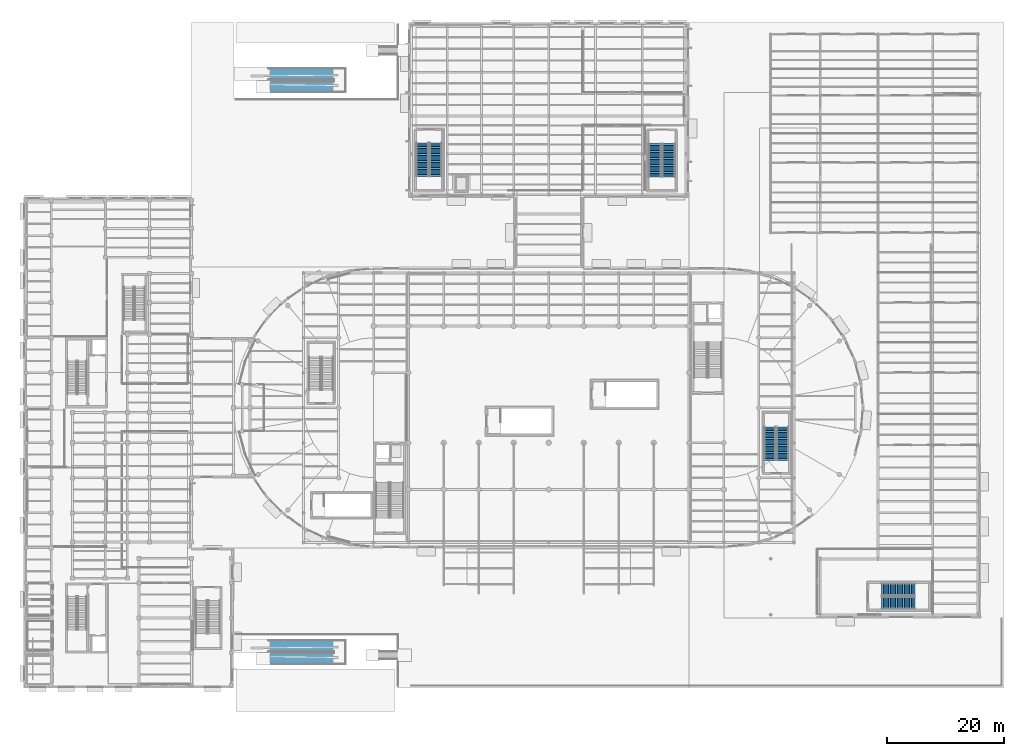
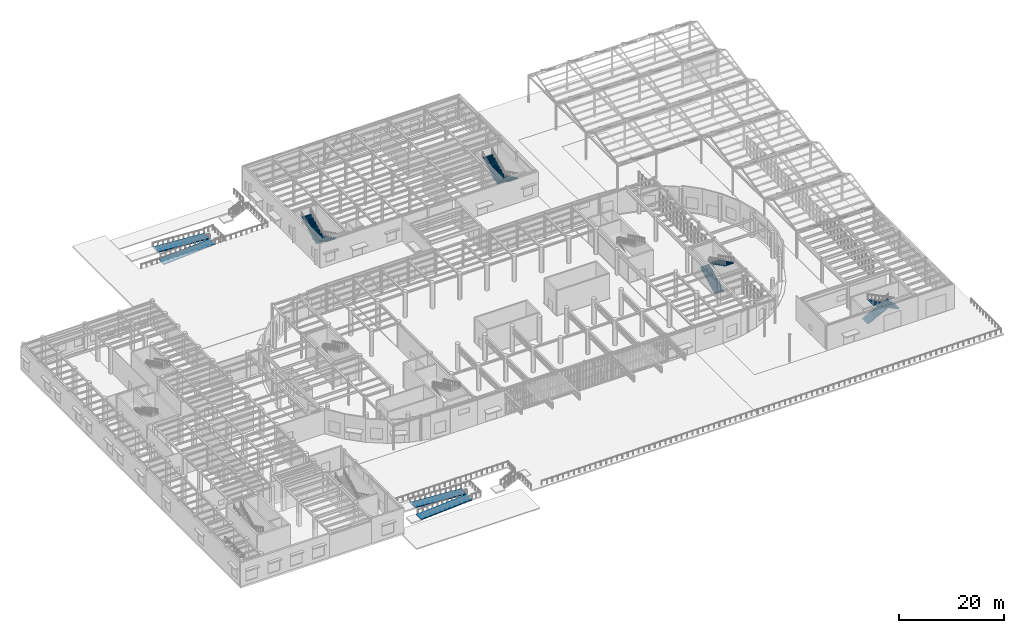
# One storey, part 98 of 118: 8 stair flights, 4 ramp flights, 6 elements without a shape of their own.
"""IFC4 building model written with IfcOpenShell, lengths in metres."""

from ifc_helpers import new_model, si_unit, direction, frame, origin, place, context, subcontext, project, spatial, polyline, outline, extrude, material, layer, layer_set, type_object, element, aggregate, save


model = new_model("IFC4")

# Units and contexts
model_context = context("Model", 3, precision=1e-05, world=origin(), true_north=direction((0.0, 1.0)))
body_context = subcontext(model_context, "Body", "Model", "MODEL_VIEW")
ifc_project = project(units=[si_unit("LENGTHUNIT", "METRE"), si_unit("AREAUNIT", "SQUARE_METRE"), si_unit("VOLUMEUNIT", "CUBIC_METRE"), si_unit("PLANEANGLEUNIT", "RADIAN"), si_unit("MASSUNIT", "GRAM", prefix="KILO")], contexts=[model_context])

# Site, building, storey
site_placement = place(None, origin())
site = spatial("IfcSite", under=ifc_project, at=site_placement, CompositionType="ELEMENT")
building_placement = place(site_placement, origin())
building = spatial("IfcBuilding", under=site, at=building_placement, Name="Kolvaren Corner Interchange", CompositionType="ELEMENT")
storey_placement = place(building_placement, origin())
storey = spatial("IfcBuildingStorey", under=building, at=storey_placement, Name="L01", CompositionType="ELEMENT", Elevation=0.0)

# Stair, stair flights
ifc_material_1 = material(Name="Concrete C35/45", Category="concrete")
stair_type_1 = type_object("IfcStairType", Name="ST-CY-2200", PredefinedType="HALF_TURN_STAIR", material=ifc_material_1)
stair_1_placement = place(storey_placement, origin())
stair_1 = element("IfcStair", 1, at=stair_1_placement, inside=storey, type_object=stair_type_1, Name="Cycle Hub East Mezzanine Exit Stair L01 to L02 Stair", PredefinedType="HALF_TURN_STAIR")
ifc_material_2 = material(Name="Concrete C35/45", Category="concrete")
stair_flight_type_1 = type_object("IfcStairFlightType", Name="SFT-CY-2200", PredefinedType="STRAIGHT", material=ifc_material_2)
stair_flight_1_placement = place(storey_placement, frame((110.60009765625, 93.25, 0.0), z_axis=(0.0, 0.0, 1.0), x_axis=(0.0, -1.0, 0.0)))
stair_flight_1 = element("IfcStairFlight", 2, at=stair_flight_1_placement, type_object=stair_flight_type_1, Name="Cycle Hub East Mezzanine Exit Stair L01 Lower Flight", NumberOfRisers=20, NumberOfTreads=19, PredefinedType="STRAIGHT", RiserHeight=0.15, TreadLength=0.3, context=body_context, shape_type="SweptSolid", body=[
    extrude(outline(polyline([(0.0, 0.0), (0.0, 0.14990234375), (0.300048828125, 0.14990234375), (0.300048828125, 0.300048828125), (0.60009765625, 0.300048828125), (0.60009765625, 0.449951171875), (0.89990234375, 0.449951171875), (0.89990234375, 0.60009765625), (1.199951171875, 0.60009765625), (1.199951171875, 0.75), (1.5, 0.75), (1.5, 0.89990234375), (1.800048828125, 0.89990234375), (1.800048828125, 1.050048828125), (2.10009765625, 1.050048828125), (2.10009765625, 1.199951171875), (2.39990234375, 1.199951171875), (2.39990234375, 1.35009765625), (2.699951171875, 1.35009765625), (2.699951171875, 1.5), (3.0, 1.5), (3.0, 1.64990234375), (3.300048828125, 1.64990234375), (3.300048828125, 1.800048828125), (3.60009765625, 1.800048828125), (3.60009765625, 1.949951171875), (3.89990234375, 1.949951171875), (3.89990234375, 2.10009765625), (4.199951171875, 2.10009765625), (4.199951171875, 2.25), (4.5, 2.25), (4.5, 2.39990234375), (4.800048828125, 2.39990234375), (4.800048828125, 2.550048828125), (5.10009765625, 2.550048828125), (5.10009765625, 2.699951171875), (5.39990234375, 2.699951171875), (5.39990234375, 2.85009765625), (5.699951171875, 2.85009765625), (5.699951171875, 3.0), (5.699951171875, 2.64892578125), (0.40234375, 0.0), (0.0, 0.0)])), frame((0.0, 1.10009765625, 0.0), z_axis=(0.0, -1.0, 0.0), x_axis=(1.0, 0.0, 0.0)), (0.0, 0.0, 1.0), 2.199951171875),
])
stair_flight_2_placement = place(storey_placement, frame((108.199951171875, 87.550048828125, 3.0), z_axis=(0.0, 0.0, 1.0), x_axis=(0.0, 1.0, 0.0)))
stair_flight_2 = element("IfcStairFlight", 3, at=stair_flight_2_placement, type_object=stair_flight_type_1, Name="Cycle Hub East Mezzanine Exit Stair L01 Upper Flight", NumberOfRisers=20, NumberOfTreads=19, PredefinedType="STRAIGHT", RiserHeight=0.15, TreadLength=0.3, context=body_context, shape_type="SweptSolid", body=[
    extrude(outline(polyline([(0.0, 0.0), (0.0, 0.14990234375), (0.300048828125, 0.14990234375), (0.300048828125, 0.300048828125), (0.60009765625, 0.300048828125), (0.60009765625, 0.449951171875), (0.89990234375, 0.449951171875), (0.89990234375, 0.60009765625), (1.199951171875, 0.60009765625), (1.199951171875, 0.75), (1.5, 0.75), (1.5, 0.89990234375), (1.800048828125, 0.89990234375), (1.800048828125, 1.050048828125), (2.10009765625, 1.050048828125), (2.10009765625, 1.199951171875), (2.39990234375, 1.199951171875), (2.39990234375, 1.35009765625), (2.699951171875, 1.35009765625), (2.699951171875, 1.5), (3.0, 1.5), (3.0, 1.64990234375), (3.300048828125, 1.64990234375), (3.300048828125, 1.800048828125), (3.60009765625, 1.800048828125), (3.60009765625, 1.949951171875), (3.89990234375, 1.949951171875), (3.89990234375, 2.10009765625), (4.199951171875, 2.10009765625), (4.199951171875, 2.25), (4.5, 2.25), (4.5, 2.39990234375), (4.800048828125, 2.39990234375), (4.800048828125, 2.550048828125), (5.10009765625, 2.550048828125), (5.10009765625, 2.699951171875), (5.39990234375, 2.699951171875), (5.39990234375, 2.85009765625), (5.699951171875, 2.85009765625), (5.699951171875, 3.0), (5.699951171875, 2.64892578125), (0.40234375, 0.0), (0.0, 0.0)])), frame((0.0, 1.10009765625, 0.0), z_axis=(0.0, -1.0, 0.0), x_axis=(1.0, 0.0, 0.0)), (0.0, 0.0, 1.0), 2.199951171875),
])
aggregate(stair_1, [stair_flight_1, stair_flight_2])

ifc_material_3 = material(Name="Concrete C35/45", Category="concrete")
stair_type_2 = type_object("IfcStairType", Name="ST-GL-2000", PredefinedType="HALF_TURN_STAIR", material=ifc_material_3)
stair_2_placement = place(storey_placement, origin())
stair_2 = element("IfcStair", 4, at=stair_2_placement, inside=storey, type_object=stair_type_2, Name="East Racetrack Concourse Gallery Stair L01 to L02 Stair", PredefinedType="HALF_TURN_STAIR")
ifc_material_4 = material(Name="Concrete C35/45", Category="concrete")
stair_flight_type_2 = type_object("IfcStairFlightType", Name="SFT-GL-2000", PredefinedType="STRAIGHT", material=ifc_material_4)
stair_flight_3_placement = place(storey_placement, frame((127.89990234375, 39.0, 0.0), z_axis=(0.0, 0.0, 1.0), x_axis=(0.0, 1.0, 0.0)))
stair_flight_3 = element("IfcStairFlight", 5, at=stair_flight_3_placement, type_object=stair_flight_type_2, Name="East Racetrack Concourse Gallery Stair L01 Lower Flight", NumberOfRisers=20, NumberOfTreads=19, PredefinedType="STRAIGHT", RiserHeight=0.15, TreadLength=0.3, context=body_context, shape_type="SweptSolid", body=[
    extrude(outline(polyline([(0.0, 0.0), (0.0, 0.14990234375), (0.300048828125, 0.14990234375), (0.300048828125, 0.300048828125), (0.60009765625, 0.300048828125), (0.60009765625, 0.449951171875), (0.89990234375, 0.449951171875), (0.89990234375, 0.60009765625), (1.199951171875, 0.60009765625), (1.199951171875, 0.75), (1.5, 0.75), (1.5, 0.89990234375), (1.800048828125, 0.89990234375), (1.800048828125, 1.050048828125), (2.10009765625, 1.050048828125), (2.10009765625, 1.199951171875), (2.39990234375, 1.199951171875), (2.39990234375, 1.35009765625), (2.699951171875, 1.35009765625), (2.699951171875, 1.5), (3.0, 1.5), (3.0, 1.64990234375), (3.300048828125, 1.64990234375), (3.300048828125, 1.800048828125), (3.60009765625, 1.800048828125), (3.60009765625, 1.949951171875), (3.89990234375, 1.949951171875), (3.89990234375, 2.10009765625), (4.199951171875, 2.10009765625), (4.199951171875, 2.25), (4.5, 2.25), (4.5, 2.39990234375), (4.800048828125, 2.39990234375), (4.800048828125, 2.550048828125), (5.10009765625, 2.550048828125), (5.10009765625, 2.699951171875), (5.39990234375, 2.699951171875), (5.39990234375, 2.85009765625), (5.699951171875, 2.85009765625), (5.699951171875, 3.0), (5.699951171875, 2.659912109375), (0.3798828125, 0.0), (0.0, 0.0)])), frame((0.0, 1.0, 0.0), z_axis=(0.0, -1.0, 0.0), x_axis=(1.0, 0.0, 0.0)), (0.0, 0.0, 1.0), 2.0),
])
stair_flight_4_placement = place(storey_placement, frame((130.10009765625, 44.699951171875, 3.0), z_axis=(0.0, 0.0, 1.0), x_axis=(0.0, -1.0, 0.0)))
stair_flight_4 = element("IfcStairFlight", 6, at=stair_flight_4_placement, type_object=stair_flight_type_2, Name="East Racetrack Concourse Gallery Stair L01 Upper Flight", NumberOfRisers=20, NumberOfTreads=19, PredefinedType="STRAIGHT", RiserHeight=0.15, TreadLength=0.3, context=body_context, shape_type="SweptSolid", body=[
    extrude(outline(polyline([(0.0, 0.0), (0.0, 0.14990234375), (0.300048828125, 0.14990234375), (0.300048828125, 0.300048828125), (0.60009765625, 0.300048828125), (0.60009765625, 0.449951171875), (0.89990234375, 0.449951171875), (0.89990234375, 0.60009765625), (1.199951171875, 0.60009765625), (1.199951171875, 0.75), (1.5, 0.75), (1.5, 0.89990234375), (1.800048828125, 0.89990234375), (1.800048828125, 1.050048828125), (2.10009765625, 1.050048828125), (2.10009765625, 1.199951171875), (2.39990234375, 1.199951171875), (2.39990234375, 1.35009765625), (2.699951171875, 1.35009765625), (2.699951171875, 1.5), (3.0, 1.5), (3.0, 1.64990234375), (3.300048828125, 1.64990234375), (3.300048828125, 1.800048828125), (3.60009765625, 1.800048828125), (3.60009765625, 1.949951171875), (3.89990234375, 1.949951171875), (3.89990234375, 2.10009765625), (4.199951171875, 2.10009765625), (4.199951171875, 2.25), (4.5, 2.25), (4.5, 2.39990234375), (4.800048828125, 2.39990234375), (4.800048828125, 2.550048828125), (5.10009765625, 2.550048828125), (5.10009765625, 2.699951171875), (5.39990234375, 2.699951171875), (5.39990234375, 2.85009765625), (5.699951171875, 2.85009765625), (5.699951171875, 3.0), (5.699951171875, 2.659912109375), (0.3798828125, 0.0), (0.0, 0.0)])), frame((0.0, 1.0, 0.0), z_axis=(0.0, -1.0, 0.0), x_axis=(1.0, 0.0, 0.0)), (0.0, 0.0, 1.0), 2.0),
])
aggregate(stair_2, [stair_flight_3, stair_flight_4])

ifc_material_5 = material(Name="Concrete C35/45", Category="concrete")
stair_type_3 = type_object("IfcStairType", Name="ST-PL-2100", PredefinedType="HALF_TURN_STAIR", material=ifc_material_5)
stair_3_placement = place(storey_placement, origin())
stair_3 = element("IfcStair", 7, at=stair_3_placement, inside=storey, type_object=stair_type_3, Name="Cycle Hub West Pavilion Exit Stair L01 to L02 Stair", PredefinedType="HALF_TURN_STAIR")
ifc_material_6 = material(Name="Concrete C35/45", Category="concrete")
stair_flight_type_3 = type_object("IfcStairFlightType", Name="SFT-PL-2100", PredefinedType="STRAIGHT", material=ifc_material_6)
stair_flight_5_placement = place(storey_placement, frame((70.64990234375, 93.35009765625, 0.0), z_axis=(0.0, 0.0, 1.0), x_axis=(0.0, -1.0, 0.0)))
stair_flight_5 = element("IfcStairFlight", 8, at=stair_flight_5_placement, type_object=stair_flight_type_3, Name="Cycle Hub West Pavilion Exit Stair L01 Lower Flight", NumberOfRisers=20, NumberOfTreads=19, PredefinedType="STRAIGHT", RiserHeight=0.15, TreadLength=0.3, context=body_context, shape_type="SweptSolid", body=[
    extrude(outline(polyline([(0.0, 0.0), (0.0, 0.14990234375), (0.300048828125, 0.14990234375), (0.300048828125, 0.300048828125), (0.60009765625, 0.300048828125), (0.60009765625, 0.449951171875), (0.89990234375, 0.449951171875), (0.89990234375, 0.60009765625), (1.199951171875, 0.60009765625), (1.199951171875, 0.75), (1.5, 0.75), (1.5, 0.89990234375), (1.800048828125, 0.89990234375), (1.800048828125, 1.050048828125), (2.10009765625, 1.050048828125), (2.10009765625, 1.199951171875), (2.39990234375, 1.199951171875), (2.39990234375, 1.35009765625), (2.699951171875, 1.35009765625), (2.699951171875, 1.5), (3.0, 1.5), (3.0, 1.64990234375), (3.300048828125, 1.64990234375), (3.300048828125, 1.800048828125), (3.60009765625, 1.800048828125), (3.60009765625, 1.949951171875), (3.89990234375, 1.949951171875), (3.89990234375, 2.10009765625), (4.199951171875, 2.10009765625), (4.199951171875, 2.25), (4.5, 2.25), (4.5, 2.39990234375), (4.800048828125, 2.39990234375), (4.800048828125, 2.550048828125), (5.10009765625, 2.550048828125), (5.10009765625, 2.699951171875), (5.39990234375, 2.699951171875), (5.39990234375, 2.85009765625), (5.699951171875, 2.85009765625), (5.699951171875, 3.0), (5.699951171875, 2.64892578125), (0.40234375, 0.0), (0.0, 0.0)])), frame((0.0, 1.050048828125, 0.0), z_axis=(0.0, -1.0, 0.0), x_axis=(1.0, 0.0, 0.0)), (0.0, 0.0, 1.0), 2.10009765625),
])
stair_flight_6_placement = place(storey_placement, frame((68.35009765625, 87.64990234375, 3.0), z_axis=(0.0, 0.0, 1.0), x_axis=(0.0, 1.0, 0.0)))
stair_flight_6 = element("IfcStairFlight", 9, at=stair_flight_6_placement, type_object=stair_flight_type_3, Name="Cycle Hub West Pavilion Exit Stair L01 Upper Flight", NumberOfRisers=20, NumberOfTreads=19, PredefinedType="STRAIGHT", RiserHeight=0.15, TreadLength=0.3, context=body_context, shape_type="SweptSolid", body=[
    extrude(outline(polyline([(0.0, 0.0), (0.0, 0.14990234375), (0.300048828125, 0.14990234375), (0.300048828125, 0.300048828125), (0.60009765625, 0.300048828125), (0.60009765625, 0.449951171875), (0.89990234375, 0.449951171875), (0.89990234375, 0.60009765625), (1.199951171875, 0.60009765625), (1.199951171875, 0.75), (1.5, 0.75), (1.5, 0.89990234375), (1.800048828125, 0.89990234375), (1.800048828125, 1.050048828125), (2.10009765625, 1.050048828125), (2.10009765625, 1.199951171875), (2.39990234375, 1.199951171875), (2.39990234375, 1.35009765625), (2.699951171875, 1.35009765625), (2.699951171875, 1.5), (3.0, 1.5), (3.0, 1.64990234375), (3.300048828125, 1.64990234375), (3.300048828125, 1.800048828125), (3.60009765625, 1.800048828125), (3.60009765625, 1.949951171875), (3.89990234375, 1.949951171875), (3.89990234375, 2.10009765625), (4.199951171875, 2.10009765625), (4.199951171875, 2.25), (4.5, 2.25), (4.5, 2.39990234375), (4.800048828125, 2.39990234375), (4.800048828125, 2.550048828125), (5.10009765625, 2.550048828125), (5.10009765625, 2.699951171875), (5.39990234375, 2.699951171875), (5.39990234375, 2.85009765625), (5.699951171875, 2.85009765625), (5.699951171875, 3.0), (5.699951171875, 2.64892578125), (0.40234375, 0.0), (0.0, 0.0)])), frame((0.0, 1.050048828125, 0.0), z_axis=(0.0, -1.0, 0.0), x_axis=(1.0, 0.0, 0.0)), (0.0, 0.0, 1.0), 2.10009765625),
])
aggregate(stair_3, [stair_flight_5, stair_flight_6])

stair_4_placement = place(storey_placement, origin())
stair_4 = element("IfcStair", 10, at=stair_4_placement, inside=storey, type_object=stair_type_3, Name="Bus Dispatch Lounge Exit Stair L01 to L02 Stair", PredefinedType="HALF_TURN_STAIR")
stair_flight_7_placement = place(storey_placement, frame((147.050048828125, 16.85009765625, 0.0), z_axis=(0.0, 0.0, 1.0), x_axis=(1.0, 0.0, 0.0)))
stair_flight_7 = element("IfcStairFlight", 11, at=stair_flight_7_placement, type_object=stair_flight_type_3, Name="Bus Dispatch Lounge Exit Stair L01 Lower Flight", NumberOfRisers=20, NumberOfTreads=19, PredefinedType="STRAIGHT", RiserHeight=0.15, TreadLength=0.3, context=body_context, shape_type="SweptSolid", body=[
    extrude(outline(polyline([(0.0, 0.0), (0.0, 0.14990234375), (0.300048828125, 0.14990234375), (0.300048828125, 0.300048828125), (0.60009765625, 0.300048828125), (0.60009765625, 0.449951171875), (0.89990234375, 0.449951171875), (0.89990234375, 0.60009765625), (1.199951171875, 0.60009765625), (1.199951171875, 0.75), (1.5, 0.75), (1.5, 0.89990234375), (1.800048828125, 0.89990234375), (1.800048828125, 1.050048828125), (2.10009765625, 1.050048828125), (2.10009765625, 1.199951171875), (2.39990234375, 1.199951171875), (2.39990234375, 1.35009765625), (2.699951171875, 1.35009765625), (2.699951171875, 1.5), (3.0, 1.5), (3.0, 1.64990234375), (3.300048828125, 1.64990234375), (3.300048828125, 1.800048828125), (3.60009765625, 1.800048828125), (3.60009765625, 1.949951171875), (3.89990234375, 1.949951171875), (3.89990234375, 2.10009765625), (4.199951171875, 2.10009765625), (4.199951171875, 2.25), (4.5, 2.25), (4.5, 2.39990234375), (4.800048828125, 2.39990234375), (4.800048828125, 2.550048828125), (5.10009765625, 2.550048828125), (5.10009765625, 2.699951171875), (5.39990234375, 2.699951171875), (5.39990234375, 2.85009765625), (5.699951171875, 2.85009765625), (5.699951171875, 3.0), (5.699951171875, 2.64892578125), (0.40234375, 0.0), (0.0, 0.0)])), frame((0.0, 1.050048828125, 0.0), z_axis=(0.0, -1.0, 0.0), x_axis=(1.0, 0.0, 0.0)), (0.0, 0.0, 1.0), 2.10009765625),
])
stair_flight_8_placement = place(storey_placement, frame((152.75, 14.550048828125, 3.0), z_axis=(0.0, 0.0, 1.0), x_axis=(-1.0, 0.0, 0.0)))
stair_flight_8 = element("IfcStairFlight", 12, at=stair_flight_8_placement, type_object=stair_flight_type_3, Name="Bus Dispatch Lounge Exit Stair L01 Upper Flight", NumberOfRisers=20, NumberOfTreads=19, PredefinedType="STRAIGHT", RiserHeight=0.15, TreadLength=0.3, context=body_context, shape_type="SweptSolid", body=[
    extrude(outline(polyline([(0.0, 0.0), (0.0, 0.14990234375), (0.300048828125, 0.14990234375), (0.300048828125, 0.300048828125), (0.60009765625, 0.300048828125), (0.60009765625, 0.449951171875), (0.89990234375, 0.449951171875), (0.89990234375, 0.60009765625), (1.199951171875, 0.60009765625), (1.199951171875, 0.75), (1.5, 0.75), (1.5, 0.89990234375), (1.800048828125, 0.89990234375), (1.800048828125, 1.050048828125), (2.10009765625, 1.050048828125), (2.10009765625, 1.199951171875), (2.39990234375, 1.199951171875), (2.39990234375, 1.35009765625), (2.699951171875, 1.35009765625), (2.699951171875, 1.5), (3.0, 1.5), (3.0, 1.64990234375), (3.300048828125, 1.64990234375), (3.300048828125, 1.800048828125), (3.60009765625, 1.800048828125), (3.60009765625, 1.949951171875), (3.89990234375, 1.949951171875), (3.89990234375, 2.10009765625), (4.199951171875, 2.10009765625), (4.199951171875, 2.25), (4.5, 2.25), (4.5, 2.39990234375), (4.800048828125, 2.39990234375), (4.800048828125, 2.550048828125), (5.10009765625, 2.550048828125), (5.10009765625, 2.699951171875), (5.39990234375, 2.699951171875), (5.39990234375, 2.85009765625), (5.699951171875, 2.85009765625), (5.699951171875, 3.0), (5.699951171875, 2.64892578125), (0.40234375, 0.0), (0.0, 0.0)])), frame((0.0, 1.050048828125, 0.0), z_axis=(0.0, -1.0, 0.0), x_axis=(1.0, 0.0, 0.0)), (0.0, 0.0, 1.0), 2.10009765625),
])
aggregate(stair_4, [stair_flight_7, stair_flight_8])

# Ramp, ramp flights
ifc_material_7 = material(Name="Concrete C35/45", Category="concrete")
ramp_type = type_object("IfcRampType", Name="RMP-PLINTH", PredefinedType="HALF_TURN_RAMP", material=ifc_material_7)
ramp_1_placement = place(storey_placement, origin())
ramp_1 = element("IfcRamp", 13, at=ramp_1_placement, inside=storey, type_object=ramp_type, Name="South Forecourt Accessible Plinth Ramp", PredefinedType="HALF_TURN_RAMP")
ifc_material_8 = material(Name="Concrete C35/45", Category="concrete")
ifc_layer = layer(ifc_material_8, 0.239990234375)
ifc_layer_set = layer_set([ifc_layer], Name="Concrete C35/45")
ramp_flight_type = type_object("IfcRampFlightType", Name="RMF-PLINTH", PredefinedType="STRAIGHT", material=ifc_layer_set)
ramp_flight_1_placement = place(storey_placement, frame((42.0, 4.0, -1.5), z_axis=(-0.066519010524, 0.0, 0.997785157857), x_axis=(0.997785157857, 0.0, 0.066519010524)))
ramp_flight_1 = element("IfcRampFlight", 14, at=ramp_flight_1_placement, type_object=ramp_flight_type, Name="South Forecourt Accessible Plinth Ramp Lower Sloped Flight", PredefinedType="STRAIGHT", context=body_context, shape_type="SweptSolid", body=[
    extrude(outline(polyline([(0.0, 0.0), (11.27497, 0.0), (11.27497, 2.0), (0.0, 2.0), (0.0, 0.0)])), origin(), (0.0, 0.0, -1.0), 0.239990234375),
])
ramp_flight_2_placement = place(storey_placement, frame((53.25, 6.199951171875, -0.75), z_axis=(0.066519010524, 0.0, 0.997785157857), x_axis=(-0.997785157857, 0.0, 0.066519010524)))
ramp_flight_2 = element("IfcRampFlight", 15, at=ramp_flight_2_placement, type_object=ramp_flight_type, Name="South Forecourt Accessible Plinth Ramp Upper Sloped Flight", PredefinedType="STRAIGHT", context=body_context, shape_type="SweptSolid", body=[
    extrude(outline(polyline([(0.0, 0.0), (11.27497, 0.0), (11.27497, -2.0), (0.0, -2.0), (0.0, 0.0)])), origin(), (0.0, 0.0, -1.0), 0.239990234375),
])
aggregate(ramp_1, [ramp_flight_1, ramp_flight_2])

ramp_2_placement = place(storey_placement, origin())
ramp_2 = element("IfcRamp", 16, at=ramp_2_placement, inside=storey, type_object=ramp_type, Name="West Cycle Hub Accessible Plinth Ramp", PredefinedType="HALF_TURN_RAMP")
ramp_flight_3_placement = place(storey_placement, frame((42.0, 102.0, -1.5), z_axis=(-0.066519010524, 0.0, 0.997785157857), x_axis=(0.997785157857, 0.0, 0.066519010524)))
ramp_flight_3 = element("IfcRampFlight", 17, at=ramp_flight_3_placement, type_object=ramp_flight_type, Name="West Cycle Hub Accessible Plinth Ramp Lower Sloped Flight", PredefinedType="STRAIGHT", context=body_context, shape_type="SweptSolid", body=[
    extrude(outline(polyline([(0.0, 0.0), (11.27497, 0.0), (11.27497, 2.0), (0.0, 2.0), (0.0, 0.0)])), origin(), (0.0, 0.0, -1.0), 0.239990234375),
])
ramp_flight_4_placement = place(storey_placement, frame((53.25, 104.199951171875, -0.75), z_axis=(0.066519010524, 0.0, 0.997785157857), x_axis=(-0.997785157857, 0.0, 0.066519010524)))
ramp_flight_4 = element("IfcRampFlight", 18, at=ramp_flight_4_placement, type_object=ramp_flight_type, Name="West Cycle Hub Accessible Plinth Ramp Upper Sloped Flight", PredefinedType="STRAIGHT", context=body_context, shape_type="SweptSolid", body=[
    extrude(outline(polyline([(0.0, 0.0), (11.27497, 0.0), (11.27497, -2.0), (0.0, -2.0), (0.0, 0.0)])), origin(), (0.0, 0.0, -1.0), 0.239990234375),
])
aggregate(ramp_2, [ramp_flight_3, ramp_flight_4])

save(model, "model.ifc")
